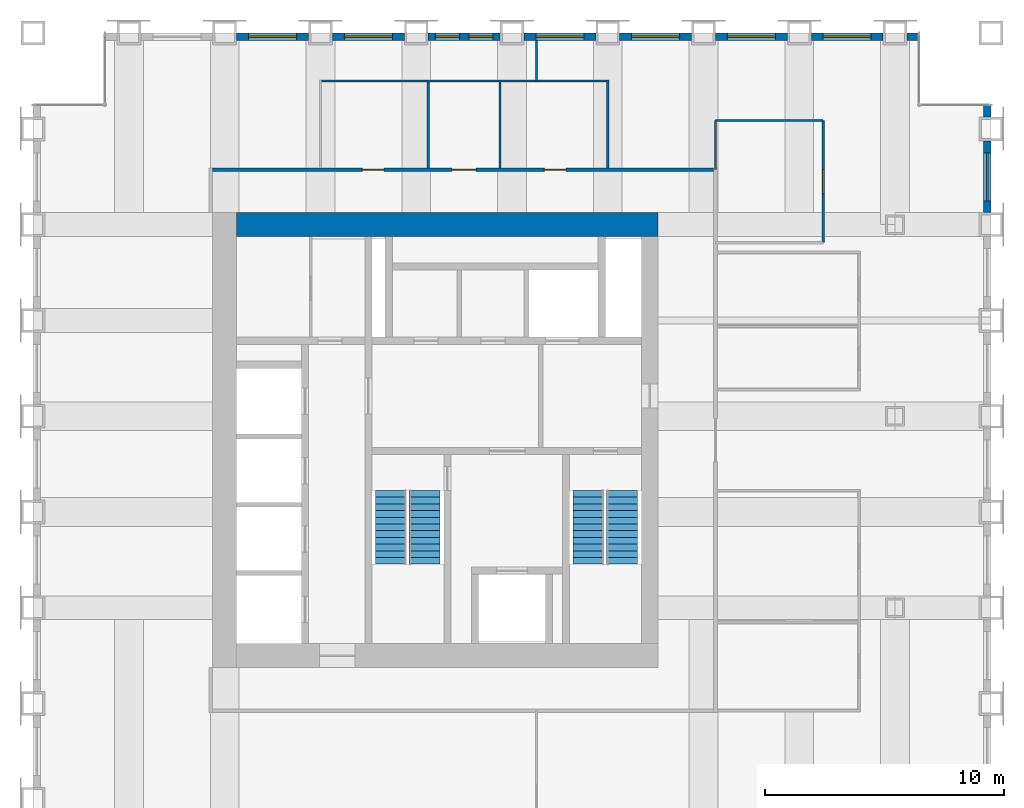
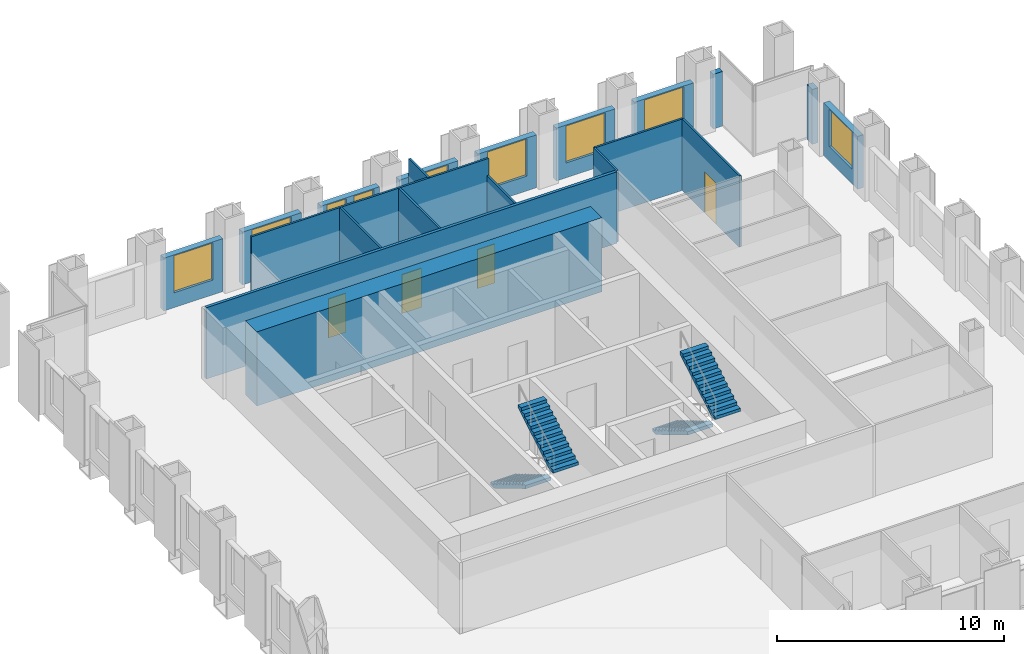
# One storey, part 10 of 11: 20 walls, 9 windows, 4 doors, 4 stair flights, 13 openings, 2 elements without a shape of their own.
"""IFC4 building model written with IfcOpenShell, lengths in metres."""

from ifc_helpers import new_model, si_unit, direction, frame, frame_2d, origin, place, context, subcontext, project, spatial, polyline, rectangle, outline, extrude, material, layer, layer_set, type_object, element, fill, aggregate, save


model = new_model("IFC4")

# Units and contexts
model_context = context("Model", 3, precision=1e-05, world=origin(), true_north=direction((0.0, 1.0)))
body_context = subcontext(model_context, "Body", "Model", "MODEL_VIEW")
ifc_project = project(units=[si_unit("LENGTHUNIT", "METRE"), si_unit("AREAUNIT", "SQUARE_METRE"), si_unit("VOLUMEUNIT", "CUBIC_METRE"), si_unit("PLANEANGLEUNIT", "RADIAN"), si_unit("MASSUNIT", "GRAM", prefix="KILO")], contexts=[model_context])

# Site, building, storey
site_placement = place(None, origin())
site = spatial("IfcSite", under=ifc_project, at=site_placement, CompositionType="ELEMENT")
building_placement = place(site_placement, origin())
building = spatial("IfcBuilding", under=site, at=building_placement, Name="Rimbunsela Tower", CompositionType="ELEMENT")
storey_placement = place(building_placement, frame((0.0, 0.0, 242.199951171875)))
storey = spatial("IfcBuildingStorey", under=building, at=storey_placement, Name="L58", CompositionType="ELEMENT", Elevation=242.199951171875)

# Walls
ifc_material_1 = material(Name="Concrete fc' 80 MPa", Category="concrete")
ifc_layer_1 = layer(ifc_material_1, 1.0)
ifc_layer_set_1 = layer_set([ifc_layer_1], Name="Core wall 1000")
wall_type_1 = type_object("IfcWallType", Name="Core wall 1000", PredefinedType="SHEAR", material=ifc_layer_set_1)
wall_1_placement = place(storey_placement, frame((18.5, 36.0, -0.14990234375), z_axis=(0.0, 0.0, 1.0), x_axis=(1.0, 0.0, 0.0)))
element("IfcWall", 1, at=wall_1_placement, inside=storey, type_object=wall_type_1, Name="Core wall north", PredefinedType="SHEAR", context=body_context, shape_type="SweptSolid", body=[
    extrude(rectangle(XDim=17.60009765625, YDim=1.0, at=frame_2d((8.800048828125, 0.0))), origin(), (0.0, 0.0, 1.0), 4.0),
])
ifc_material_2 = material(Name="Gypsum board on steel studs", Category="steel")
ifc_layer_2 = layer(ifc_material_2, 0.10009765625)
ifc_layer_set_2 = layer_set([ifc_layer_2], Name="Office partition 100")
wall_type_2 = type_object("IfcWallType", Name="Office partition 100", PredefinedType="PARTITIONING", material=ifc_layer_set_2)
wall_2_placement = place(storey_placement, frame((31.02490234375, 43.699951171875, 0.0), z_axis=(0.0, 0.0, 1.0), x_axis=(0.0, -1.0, 0.0)))
element("IfcWall", 2, at=wall_2_placement, inside=storey, type_object=wall_type_2, Name="Office partition", PredefinedType="PARTITIONING", context=body_context, shape_type="SweptSolid", body=[
    extrude(rectangle(XDim=1.699951171875, YDim=0.10009765625, at=frame_2d((0.85009765625, 0.0))), origin(), (0.0, 0.0, 1.0), 3.85009765625),
])

# Wall, opening, door
wall_3_placement = place(storey_placement, frame((43.0, 35.25, 0.0), z_axis=(0.0, 0.0, 1.0), x_axis=(0.0, 1.0, 0.0)))
wall_3 = element("IfcWall", 3, at=wall_3_placement, inside=storey, type_object=wall_type_2, Name="Office partition", PredefinedType="PARTITIONING", context=body_context, shape_type="SweptSolid", body=[
    extrude(rectangle(XDim=5.10009765625, YDim=0.10009765625, at=frame_2d((2.550048828125, 0.0))), origin(), (0.0, 0.0, 1.0), 3.85009765625),
])
opening_1_placement = place(wall_3_placement, frame((2.050048828125, 0.0, 0.0)))
opening_1 = element("IfcOpeningElement", 4, at=opening_1_placement, cuts=wall_3, Name="Opening D17", PredefinedType="OPENING", context=body_context, shape_type="SweptSolid", body=[
    extrude(rectangle(XDim=1.0, YDim=2.199951171875, at=frame_2d((0.5, 1.10009765625))), frame((0.0, 0.06005859375, 0.0), z_axis=(0.0, -1.0, 0.0), x_axis=(1.0, 0.0, 0.0)), (0.0, 0.0, 1.0), 0.1201171875),
])
ifc_material_3 = material(Name="Glazed aluminium door", Category="aluminium")
door_type_1 = type_object("IfcDoorType", Name="Meeting room door 1000 glazed", OperationType="SINGLE_SWING_RIGHT", PredefinedType="DOOR", material=ifc_material_3)
door_1_placement = place(opening_1_placement, origin())
door_1 = element("IfcDoor", 5, at=door_1_placement, inside=storey, type_object=door_type_1, Name="Reception door", OperationType="SINGLE_SWING_RIGHT", OverallHeight=2.199951171875, OverallWidth=1.0, PredefinedType="DOOR", context=body_context, shape_type="SweptSolid", body=[
    extrude(rectangle(XDim=1.0, YDim=2.199951171875, at=frame_2d((0.5, 1.10009765625))), frame((0.0, 0.02490234375, 0.0), z_axis=(0.0, -1.0, 0.0), x_axis=(1.0, 0.0, 0.0)), (0.0, 0.0, 1.0), 0.050048828125),
])
fill(opening_1, door_1)

# Walls
wall_4_placement = place(storey_placement, frame((43.0, 40.35009765625, 0.0), z_axis=(0.0, 0.0, 1.0), x_axis=(-1.0, 0.0, 0.0)))
element("IfcWall", 6, at=wall_4_placement, inside=storey, type_object=wall_type_2, Name="Office partition", PredefinedType="PARTITIONING", context=body_context, shape_type="SweptSolid", body=[
    extrude(rectangle(XDim=4.5, YDim=0.10009765625, at=frame_2d((2.25, 0.0))), origin(), (0.0, 0.0, 1.0), 3.85009765625),
])
wall_5_placement = place(storey_placement, frame((38.5, 40.35009765625, 0.0), z_axis=(0.0, 0.0, 1.0), x_axis=(0.0, -1.0, 0.0)))
element("IfcWall", 7, at=wall_5_placement, inside=storey, type_object=wall_type_2, Name="Office partition", PredefinedType="PARTITIONING", context=body_context, shape_type="SweptSolid", body=[
    extrude(rectangle(XDim=2.050048828125, YDim=0.10009765625, at=frame_2d((1.02490234375, 0.0))), origin(), (0.0, 0.0, 1.0), 3.85009765625),
])

# Wall, opening, window
ifc_material_4 = material(Name="Precast concrete fc' 35 MPa", Category="concrete")
ifc_layer_3 = layer(ifc_material_4, 0.300048828125)
ifc_layer_set_3 = layer_set([ifc_layer_3], Name="Precast concrete fc' 35 MPa")
wall_type_3 = type_object("IfcWallType", Name="Precast facade panel 300", PredefinedType="ELEMENTEDWALL", material=ifc_layer_set_3)
wall_6_placement = place(storey_placement, frame((49.85009765625, 36.5, 0.0), z_axis=(0.0, 0.0, 1.0), x_axis=(0.0, 1.0, 0.0)))
wall_6 = element("IfcWall", 8, at=wall_6_placement, inside=storey, type_object=wall_type_3, Name="Facade panel E L58", PredefinedType="ELEMENTEDWALL", context=body_context, shape_type="SweptSolid", body=[
    extrude(rectangle(XDim=3.0, YDim=0.300048828125, at=frame_2d((1.5, 0.0))), origin(), (0.0, 0.0, 1.0), 2.85009765625),
])
opening_2_placement = place(wall_6_placement, frame((0.5, 0.0, 0.800048828125)))
opening_2 = element("IfcOpeningElement", 9, at=opening_2_placement, cuts=wall_6, Name="Opening W1", PredefinedType="OPENING", context=body_context, shape_type="SweptSolid", body=[
    extrude(rectangle(XDim=2.0, YDim=2.0, at=frame_2d((1.0, 1.0))), frame((0.0, 0.159912109375, 0.0), z_axis=(0.0, -1.0, 0.0), x_axis=(1.0, 0.0, 0.0)), (0.0, 0.0, 1.0), 0.320068359375),
])
ifc_material_5 = material(Name="Clear glass in aluminium frame", Category="aluminium")
window_type_1 = type_object("IfcWindowType", Name="Window W1 2000x2000", PartitioningType="DOUBLE_PANEL_VERTICAL", PredefinedType="WINDOW", material=ifc_material_5)
window_1_placement = place(opening_2_placement, origin())
window_1 = element("IfcWindow", 10, at=window_1_placement, inside=storey, type_object=window_type_1, Name="Window L58", OverallHeight=2.0, OverallWidth=2.0, PartitioningType="SINGLE_PANEL", PredefinedType="WINDOW", context=body_context, shape_type="SweptSolid", body=[
    extrude(rectangle(XDim=2.0, YDim=2.0, at=frame_2d((1.0, 1.0))), frame((0.0, 0.030029296875, 0.0), z_axis=(0.0, -1.0, 0.0), x_axis=(1.0, 0.0, 0.0)), (0.0, 0.0, 1.0), 0.06005859375),
])
fill(opening_2, window_1)

# Wall
wall_7_placement = place(storey_placement, frame((49.85009765625, 40.5, 0.0), z_axis=(0.0, 0.0, 1.0), x_axis=(0.0, 1.0, 0.0)))
element("IfcWall", 11, at=wall_7_placement, inside=storey, type_object=wall_type_3, Name="Facade panel E L58", PredefinedType="ELEMENTEDWALL", context=body_context, shape_type="SweptSolid", body=[
    extrude(rectangle(XDim=0.469970703125, YDim=0.300048828125, at=frame_2d((0.23486328125, 0.0))), origin(), (0.0, 0.0, 1.0), 2.949951171875),
])

# Wall, opening, window
wall_8_placement = place(storey_placement, frame((21.5, 43.85009765625, 0.0), z_axis=(0.0, 0.0, 1.0), x_axis=(-1.0, 0.0, 0.0)))
wall_8 = element("IfcWall", 12, at=wall_8_placement, inside=storey, type_object=wall_type_3, Name="Facade panel N L58", PredefinedType="ELEMENTEDWALL", context=body_context, shape_type="SweptSolid", body=[
    extrude(rectangle(XDim=3.0, YDim=0.300048828125, at=frame_2d((1.5, 0.0))), origin(), (0.0, 0.0, 1.0), 2.85009765625),
])
opening_3_placement = place(wall_8_placement, frame((0.5, 0.0, 0.800048828125)))
opening_3 = element("IfcOpeningElement", 13, at=opening_3_placement, cuts=wall_8, Name="Opening W1", PredefinedType="OPENING", context=body_context, shape_type="SweptSolid", body=[
    extrude(rectangle(XDim=2.0, YDim=2.0, at=frame_2d((1.0, 1.0))), frame((0.0, 0.159912109375, 0.0), z_axis=(0.0, -1.0, 0.0), x_axis=(1.0, 0.0, 0.0)), (0.0, 0.0, 1.0), 0.320068359375),
])
window_2_placement = place(opening_3_placement, origin())
window_2 = element("IfcWindow", 14, at=window_2_placement, inside=storey, type_object=window_type_1, Name="Window L58", OverallHeight=2.0, OverallWidth=2.0, PartitioningType="SINGLE_PANEL", PredefinedType="WINDOW", context=body_context, shape_type="SweptSolid", body=[
    extrude(rectangle(XDim=2.0, YDim=2.0, at=frame_2d((1.0, 1.0))), frame((0.0, 0.030029296875, 0.0), z_axis=(0.0, -1.0, 0.0), x_axis=(1.0, 0.0, 0.0)), (0.0, 0.0, 1.0), 0.06005859375),
])
fill(opening_3, window_2)

wall_9_placement = place(storey_placement, frame((25.5, 43.85009765625, 0.0), z_axis=(0.0, 0.0, 1.0), x_axis=(-1.0, 0.0, 0.0)))
wall_9 = element("IfcWall", 15, at=wall_9_placement, inside=storey, type_object=wall_type_3, Name="Facade panel N L58", PredefinedType="ELEMENTEDWALL", context=body_context, shape_type="SweptSolid", body=[
    extrude(rectangle(XDim=3.0, YDim=0.300048828125, at=frame_2d((1.5, 0.0))), origin(), (0.0, 0.0, 1.0), 2.85009765625),
])
opening_4_placement = place(wall_9_placement, frame((0.5, 0.0, 0.800048828125)))
opening_4 = element("IfcOpeningElement", 16, at=opening_4_placement, cuts=wall_9, Name="Opening W1", PredefinedType="OPENING", context=body_context, shape_type="SweptSolid", body=[
    extrude(rectangle(XDim=2.0, YDim=2.0, at=frame_2d((1.0, 1.0))), frame((0.0, 0.159912109375, 0.0), z_axis=(0.0, -1.0, 0.0), x_axis=(1.0, 0.0, 0.0)), (0.0, 0.0, 1.0), 0.320068359375),
])
window_3_placement = place(opening_4_placement, origin())
window_3 = element("IfcWindow", 17, at=window_3_placement, inside=storey, type_object=window_type_1, Name="Window L58", OverallHeight=2.0, OverallWidth=2.0, PartitioningType="SINGLE_PANEL", PredefinedType="WINDOW", context=body_context, shape_type="SweptSolid", body=[
    extrude(rectangle(XDim=2.0, YDim=2.0, at=frame_2d((1.0, 1.0))), frame((0.0, 0.030029296875, 0.0), z_axis=(0.0, -1.0, 0.0), x_axis=(1.0, 0.0, 0.0)), (0.0, 0.0, 1.0), 0.06005859375),
])
fill(opening_4, window_3)

# Wall, openings, windows
wall_10_placement = place(storey_placement, frame((29.5, 43.85009765625, 0.0), z_axis=(0.0, 0.0, 1.0), x_axis=(-1.0, 0.0, 0.0)))
wall_10 = element("IfcWall", 18, at=wall_10_placement, inside=storey, type_object=wall_type_3, Name="Facade panel N L58", PredefinedType="ELEMENTEDWALL", context=body_context, shape_type="SweptSolid", body=[
    extrude(rectangle(XDim=3.0, YDim=0.300048828125, at=frame_2d((1.5, 0.0))), origin(), (0.0, 0.0, 1.0), 2.85009765625),
])
opening_5_placement = place(wall_10_placement, frame((1.699951171875, 0.0, 0.800048828125)))
opening_5 = element("IfcOpeningElement", 19, at=opening_5_placement, cuts=wall_10, Name="Opening W5", PredefinedType="OPENING", context=body_context, shape_type="SweptSolid", body=[
    extrude(rectangle(XDim=1.0, YDim=2.0, at=frame_2d((0.5, 1.0))), frame((0.0, 0.159912109375, 0.0), z_axis=(0.0, -1.0, 0.0), x_axis=(1.0, 0.0, 0.0)), (0.0, 0.0, 1.0), 0.320068359375),
])
opening_6_placement = place(wall_10_placement, frame((0.300048828125, 0.0, 0.800048828125)))
opening_6 = element("IfcOpeningElement", 20, at=opening_6_placement, cuts=wall_10, Name="Opening W5", PredefinedType="OPENING", context=body_context, shape_type="SweptSolid", body=[
    extrude(rectangle(XDim=1.0, YDim=2.0, at=frame_2d((0.5, 1.0))), frame((0.0, 0.159912109375, 0.0), z_axis=(0.0, -1.0, 0.0), x_axis=(1.0, 0.0, 0.0)), (0.0, 0.0, 1.0), 0.320068359375),
])
ifc_material_6 = material(Name="Clear glass in aluminium frame", Category="aluminium")
window_type_2 = type_object("IfcWindowType", Name="Window W5 1000x2000", PartitioningType="SINGLE_PANEL", PredefinedType="WINDOW", material=ifc_material_6)
window_4_placement = place(opening_5_placement, origin())
window_4 = element("IfcWindow", 21, at=window_4_placement, inside=storey, type_object=window_type_2, Name="Window L58", OverallHeight=2.0, OverallWidth=1.0, PartitioningType="SINGLE_PANEL", PredefinedType="WINDOW", context=body_context, shape_type="SweptSolid", body=[
    extrude(rectangle(XDim=1.0, YDim=2.0, at=frame_2d((0.5, 1.0))), frame((0.0, 0.030029296875, 0.0), z_axis=(0.0, -1.0, 0.0), x_axis=(1.0, 0.0, 0.0)), (0.0, 0.0, 1.0), 0.06005859375),
])
fill(opening_5, window_4)
window_5_placement = place(opening_6_placement, origin())
window_5 = element("IfcWindow", 22, at=window_5_placement, inside=storey, type_object=window_type_2, Name="Window L58", OverallHeight=2.0, OverallWidth=1.0, PartitioningType="SINGLE_PANEL", PredefinedType="WINDOW", context=body_context, shape_type="SweptSolid", body=[
    extrude(rectangle(XDim=1.0, YDim=2.0, at=frame_2d((0.5, 1.0))), frame((0.0, 0.030029296875, 0.0), z_axis=(0.0, -1.0, 0.0), x_axis=(1.0, 0.0, 0.0)), (0.0, 0.0, 1.0), 0.06005859375),
])
fill(opening_6, window_5)

# Wall, opening, window
wall_11_placement = place(storey_placement, frame((33.5, 43.85009765625, 0.0), z_axis=(0.0, 0.0, 1.0), x_axis=(-1.0, 0.0, 0.0)))
wall_11 = element("IfcWall", 23, at=wall_11_placement, inside=storey, type_object=wall_type_3, Name="Facade panel N L58", PredefinedType="ELEMENTEDWALL", context=body_context, shape_type="SweptSolid", body=[
    extrude(rectangle(XDim=3.0, YDim=0.300048828125, at=frame_2d((1.5, 0.0))), origin(), (0.0, 0.0, 1.0), 2.85009765625),
])
opening_7_placement = place(wall_11_placement, frame((0.5, 0.0, 0.800048828125)))
opening_7 = element("IfcOpeningElement", 24, at=opening_7_placement, cuts=wall_11, Name="Opening W1", PredefinedType="OPENING", context=body_context, shape_type="SweptSolid", body=[
    extrude(rectangle(XDim=2.0, YDim=2.0, at=frame_2d((1.0, 1.0))), frame((0.0, 0.159912109375, 0.0), z_axis=(0.0, -1.0, 0.0), x_axis=(1.0, 0.0, 0.0)), (0.0, 0.0, 1.0), 0.320068359375),
])
window_6_placement = place(opening_7_placement, origin())
window_6 = element("IfcWindow", 25, at=window_6_placement, inside=storey, type_object=window_type_1, Name="Window L58", OverallHeight=2.0, OverallWidth=2.0, PartitioningType="SINGLE_PANEL", PredefinedType="WINDOW", context=body_context, shape_type="SweptSolid", body=[
    extrude(rectangle(XDim=2.0, YDim=2.0, at=frame_2d((1.0, 1.0))), frame((0.0, 0.030029296875, 0.0), z_axis=(0.0, -1.0, 0.0), x_axis=(1.0, 0.0, 0.0)), (0.0, 0.0, 1.0), 0.06005859375),
])
fill(opening_7, window_6)

wall_12_placement = place(storey_placement, frame((37.5, 43.85009765625, 0.0), z_axis=(0.0, 0.0, 1.0), x_axis=(-1.0, 0.0, 0.0)))
wall_12 = element("IfcWall", 26, at=wall_12_placement, inside=storey, type_object=wall_type_3, Name="Facade panel N L58", PredefinedType="ELEMENTEDWALL", context=body_context, shape_type="SweptSolid", body=[
    extrude(rectangle(XDim=3.0, YDim=0.300048828125, at=frame_2d((1.5, 0.0))), origin(), (0.0, 0.0, 1.0), 2.85009765625),
])
opening_8_placement = place(wall_12_placement, frame((0.5, 0.0, 0.800048828125)))
opening_8 = element("IfcOpeningElement", 27, at=opening_8_placement, cuts=wall_12, Name="Opening W1", PredefinedType="OPENING", context=body_context, shape_type="SweptSolid", body=[
    extrude(rectangle(XDim=2.0, YDim=2.0, at=frame_2d((1.0, 1.0))), frame((0.0, 0.159912109375, 0.0), z_axis=(0.0, -1.0, 0.0), x_axis=(1.0, 0.0, 0.0)), (0.0, 0.0, 1.0), 0.320068359375),
])
window_7_placement = place(opening_8_placement, origin())
window_7 = element("IfcWindow", 28, at=window_7_placement, inside=storey, type_object=window_type_1, Name="Window L58", OverallHeight=2.0, OverallWidth=2.0, PartitioningType="SINGLE_PANEL", PredefinedType="WINDOW", context=body_context, shape_type="SweptSolid", body=[
    extrude(rectangle(XDim=2.0, YDim=2.0, at=frame_2d((1.0, 1.0))), frame((0.0, 0.030029296875, 0.0), z_axis=(0.0, -1.0, 0.0), x_axis=(1.0, 0.0, 0.0)), (0.0, 0.0, 1.0), 0.06005859375),
])
fill(opening_8, window_7)

wall_13_placement = place(storey_placement, frame((41.5, 43.85009765625, 0.0), z_axis=(0.0, 0.0, 1.0), x_axis=(-1.0, 0.0, 0.0)))
wall_13 = element("IfcWall", 29, at=wall_13_placement, inside=storey, type_object=wall_type_3, Name="Facade panel N L58", PredefinedType="ELEMENTEDWALL", context=body_context, shape_type="SweptSolid", body=[
    extrude(rectangle(XDim=3.0, YDim=0.300048828125, at=frame_2d((1.5, 0.0))), origin(), (0.0, 0.0, 1.0), 2.85009765625),
])
opening_9_placement = place(wall_13_placement, frame((0.5, 0.0, 0.800048828125)))
opening_9 = element("IfcOpeningElement", 30, at=opening_9_placement, cuts=wall_13, Name="Opening W1", PredefinedType="OPENING", context=body_context, shape_type="SweptSolid", body=[
    extrude(rectangle(XDim=2.0, YDim=2.0, at=frame_2d((1.0, 1.0))), frame((0.0, 0.159912109375, 0.0), z_axis=(0.0, -1.0, 0.0), x_axis=(1.0, 0.0, 0.0)), (0.0, 0.0, 1.0), 0.320068359375),
])
window_8_placement = place(opening_9_placement, origin())
window_8 = element("IfcWindow", 31, at=window_8_placement, inside=storey, type_object=window_type_1, Name="Window L58", OverallHeight=2.0, OverallWidth=2.0, PartitioningType="SINGLE_PANEL", PredefinedType="WINDOW", context=body_context, shape_type="SweptSolid", body=[
    extrude(rectangle(XDim=2.0, YDim=2.0, at=frame_2d((1.0, 1.0))), frame((0.0, 0.030029296875, 0.0), z_axis=(0.0, -1.0, 0.0), x_axis=(1.0, 0.0, 0.0)), (0.0, 0.0, 1.0), 0.06005859375),
])
fill(opening_9, window_8)

wall_14_placement = place(storey_placement, frame((45.5, 43.85009765625, 0.0), z_axis=(0.0, 0.0, 1.0), x_axis=(-1.0, 0.0, 0.0)))
wall_14 = element("IfcWall", 32, at=wall_14_placement, inside=storey, type_object=wall_type_3, Name="Facade panel N L58", PredefinedType="ELEMENTEDWALL", context=body_context, shape_type="SweptSolid", body=[
    extrude(rectangle(XDim=3.0, YDim=0.300048828125, at=frame_2d((1.5, 0.0))), origin(), (0.0, 0.0, 1.0), 2.85009765625),
])
opening_10_placement = place(wall_14_placement, frame((0.5, 0.0, 0.800048828125)))
opening_10 = element("IfcOpeningElement", 33, at=opening_10_placement, cuts=wall_14, Name="Opening W1", PredefinedType="OPENING", context=body_context, shape_type="SweptSolid", body=[
    extrude(rectangle(XDim=2.0, YDim=2.0, at=frame_2d((1.0, 1.0))), frame((0.0, 0.159912109375, 0.0), z_axis=(0.0, -1.0, 0.0), x_axis=(1.0, 0.0, 0.0)), (0.0, 0.0, 1.0), 0.320068359375),
])
window_9_placement = place(opening_10_placement, origin())
window_9 = element("IfcWindow", 34, at=window_9_placement, inside=storey, type_object=window_type_1, Name="Window L58", OverallHeight=2.0, OverallWidth=2.0, PartitioningType="SINGLE_PANEL", PredefinedType="WINDOW", context=body_context, shape_type="SweptSolid", body=[
    extrude(rectangle(XDim=2.0, YDim=2.0, at=frame_2d((1.0, 1.0))), frame((0.0, 0.030029296875, 0.0), z_axis=(0.0, -1.0, 0.0), x_axis=(1.0, 0.0, 0.0)), (0.0, 0.0, 1.0), 0.06005859375),
])
fill(opening_10, window_9)

# Wall
wall_15_placement = place(storey_placement, frame((46.969970703125, 43.85009765625, 0.0), z_axis=(0.0, 0.0, 1.0), x_axis=(-1.0, 0.0, 0.0)))
element("IfcWall", 35, at=wall_15_placement, inside=storey, type_object=wall_type_3, Name="Facade panel N L58", PredefinedType="ELEMENTEDWALL", context=body_context, shape_type="SweptSolid", body=[
    extrude(rectangle(XDim=0.469970703125, YDim=0.300048828125, at=frame_2d((0.23486328125, 0.0))), origin(), (0.0, 0.0, 1.0), 2.949951171875),
])

# Wall, openings, doors
ifc_material_7 = material(Name="Fire-rated gypsum board on steel studs, EI 60", Category="steel")
ifc_layer_4 = layer(ifc_material_7, 0.14990234375)
ifc_layer_set_4 = layer_set([ifc_layer_4], Name="Rated corridor wall 150")
wall_type_4 = type_object("IfcWallType", Name="Rated corridor wall 150", PredefinedType="PARTITIONING", material=ifc_layer_set_4)
wall_16_placement = place(storey_placement, frame((17.5, 38.300048828125, 0.0), z_axis=(0.0, 0.0, 1.0), x_axis=(1.0, 0.0, 0.0)))
wall_16 = element("IfcWall", 36, at=wall_16_placement, inside=storey, type_object=wall_type_4, Name="Corridor wall north", PredefinedType="PARTITIONING", context=body_context, shape_type="SweptSolid", body=[
    extrude(rectangle(XDim=20.925048828125, YDim=0.14990234375, at=frame_2d((10.46240234375, 0.0))), origin(), (0.0, 0.0, 1.0), 3.85009765625),
])
opening_11_placement = place(wall_16_placement, frame((6.25, 0.0, 0.0)))
opening_11 = element("IfcOpeningElement", 37, at=opening_11_placement, cuts=wall_16, Name="Opening D04", PredefinedType="OPENING", context=body_context, shape_type="SweptSolid", body=[
    extrude(rectangle(XDim=0.89990234375, YDim=2.10009765625, at=frame_2d((0.449951171875, 1.050048828125))), frame((0.0, 0.0849609375, 0.0), z_axis=(0.0, -1.0, 0.0), x_axis=(1.0, 0.0, 0.0)), (0.0, 0.0, 1.0), 0.169921875),
])
opening_12_placement = place(wall_16_placement, frame((10.0, 0.0, 0.0)))
opening_12 = element("IfcOpeningElement", 38, at=opening_12_placement, cuts=wall_16, Name="Opening D05", PredefinedType="OPENING", context=body_context, shape_type="SweptSolid", body=[
    extrude(rectangle(XDim=1.0, YDim=2.10009765625, at=frame_2d((0.5, 1.050048828125))), frame((0.0, 0.0849609375, 0.0), z_axis=(0.0, -1.0, 0.0), x_axis=(1.0, 0.0, 0.0)), (0.0, 0.0, 1.0), 0.169921875),
])
opening_13_placement = place(wall_16_placement, frame((13.85009765625, 0.0, 0.0)))
opening_13 = element("IfcOpeningElement", 39, at=opening_13_placement, cuts=wall_16, Name="Opening D04", PredefinedType="OPENING", context=body_context, shape_type="SweptSolid", body=[
    extrude(rectangle(XDim=0.89990234375, YDim=2.10009765625, at=frame_2d((0.449951171875, 1.050048828125))), frame((0.0, 0.0849609375, 0.0), z_axis=(0.0, -1.0, 0.0), x_axis=(1.0, 0.0, 0.0)), (0.0, 0.0, 1.0), 0.169921875),
])
ifc_material_8 = material(Name="Timber door", Category="wood")
door_type_2 = type_object("IfcDoorType", Name="Accessible WC door 1000", OperationType="SLIDING_TO_LEFT", PredefinedType="DOOR", material=ifc_material_8)
door_2_placement = place(opening_12_placement, origin())
door_2 = element("IfcDoor", 40, at=door_2_placement, inside=storey, type_object=door_type_2, Name="Accessible WC door", OperationType="SLIDING_TO_LEFT", OverallHeight=2.10009765625, OverallWidth=1.0, PredefinedType="DOOR", context=body_context, shape_type="SweptSolid", body=[
    extrude(rectangle(XDim=1.0, YDim=2.10009765625, at=frame_2d((0.5, 1.050048828125))), frame((0.0, 0.02490234375, 0.0), z_axis=(0.0, -1.0, 0.0), x_axis=(1.0, 0.0, 0.0)), (0.0, 0.0, 1.0), 0.050048828125),
])
fill(opening_12, door_2)
ifc_material_9 = material(Name="Timber door", Category="wood")
door_type_3 = type_object("IfcDoorType", Name="Toilet door 900", OperationType="SINGLE_SWING_LEFT", PredefinedType="DOOR", material=ifc_material_9)
door_3_placement = place(opening_11_placement, origin())
door_3 = element("IfcDoor", 41, at=door_3_placement, inside=storey, type_object=door_type_3, Name="Female WC door", OperationType="SINGLE_SWING_LEFT", OverallHeight=2.10009765625, OverallWidth=0.89990234375, PredefinedType="DOOR", context=body_context, shape_type="SweptSolid", body=[
    extrude(rectangle(XDim=0.89990234375, YDim=2.10009765625, at=frame_2d((0.449951171875, 1.050048828125))), frame((0.0, 0.02490234375, 0.0), z_axis=(0.0, -1.0, 0.0), x_axis=(1.0, 0.0, 0.0)), (0.0, 0.0, 1.0), 0.050048828125),
])
fill(opening_11, door_3)
door_4_placement = place(opening_13_placement, origin())
door_4 = element("IfcDoor", 42, at=door_4_placement, inside=storey, type_object=door_type_3, Name="Male WC door", OperationType="SINGLE_SWING_LEFT", OverallHeight=2.10009765625, OverallWidth=0.89990234375, PredefinedType="DOOR", context=body_context, shape_type="SweptSolid", body=[
    extrude(rectangle(XDim=0.89990234375, YDim=2.10009765625, at=frame_2d((0.449951171875, 1.050048828125))), frame((0.0, 0.02490234375, 0.0), z_axis=(0.0, -1.0, 0.0), x_axis=(1.0, 0.0, 0.0)), (0.0, 0.0, 1.0), 0.050048828125),
])
fill(opening_13, door_4)

# Walls
ifc_material_10 = material(Name="Concrete blockwork", Category="masonry")
ifc_layer_5 = layer(ifc_material_10, 0.10009765625)
ifc_layer_set_5 = layer_set([ifc_layer_5], Name="Toilet partition 100")
wall_type_5 = type_object("IfcWallType", Name="Toilet partition 100", PredefinedType="PARTITIONING", material=ifc_layer_set_5)
wall_17_placement = place(storey_placement, frame((34.0, 38.375, 0.0), z_axis=(0.0, 0.0, 1.0), x_axis=(0.0, 1.0, 0.0)))
element("IfcWall", 43, at=wall_17_placement, inside=storey, type_object=wall_type_5, Name="Toilet block wall east", PredefinedType="PARTITIONING", context=body_context, shape_type="SweptSolid", body=[
    extrude(rectangle(XDim=3.675048828125, YDim=0.10009765625, at=frame_2d((1.83740234375, 0.0))), origin(), (0.0, 0.0, 1.0), 2.949951171875),
])
wall_18_placement = place(storey_placement, frame((21.949951171875, 42.0, 0.0), z_axis=(0.0, 0.0, 1.0), x_axis=(1.0, 0.0, 0.0)))
element("IfcWall", 44, at=wall_18_placement, inside=storey, type_object=wall_type_5, Name="Toilet block wall north", PredefinedType="PARTITIONING", context=body_context, shape_type="SweptSolid", body=[
    extrude(rectangle(XDim=12.10009765625, YDim=0.10009765625, at=frame_2d((6.050048828125, 0.0))), origin(), (0.0, 0.0, 1.0), 3.85009765625),
])
for number, where, z_axis, x_axis, name in (
    (45, (26.5, 38.375, 0.0), (0.0, 0.0, 1.0), (0.0, 1.0, 0.0), "Toilet partition"),
    (46, (29.5, 38.375, 0.0), (0.0, 0.0, 1.0), (0.0, 1.0, 0.0), "Toilet partition"),
):
    element("IfcWall", number, at=place(storey_placement, frame(where, z_axis=z_axis, x_axis=x_axis)), inside=storey, type_object=wall_type_5, Name=name, PredefinedType="PARTITIONING", context=body_context, shape_type="SweptSolid", body=[
        extrude(rectangle(XDim=3.574951171875, YDim=0.10009765625, at=frame_2d((1.78759765625, 0.0))), origin(), (0.0, 0.0, 1.0), 3.85009765625),
    ])

# Stair, stair flights
ifc_material_11 = material(Name="Concrete fc' 35 MPa", Category="concrete")
stair_type = type_object("IfcStairType", Name="Exit stair 24 risers", PredefinedType="HALF_TURN_STAIR", material=ifc_material_11)
stair_1_placement = place(storey_placement, origin())
stair_1 = element("IfcStair", 47, at=stair_1_placement, inside=storey, type_object=stair_type, Name="Exit stair A L58", PredefinedType="HALF_TURN_STAIR")
ifc_material_12 = material(Name="Concrete fc' 35 MPa", Category="concrete")
stair_flight_type = type_object("IfcStairFlightType", Name="Stair flight 12 risers 167", PredefinedType="STRAIGHT", material=ifc_material_12)
stair_flight_1_placement = place(storey_placement, frame((24.949951171875, 24.89990234375, 0.0), z_axis=(0.0, 0.0, 1.0), x_axis=(0.0, -1.0, 0.0)))
stair_flight_1 = element("IfcStairFlight", 48, at=stair_flight_1_placement, type_object=stair_flight_type, Name="ST-A flight 1", NumberOfRisers=12, NumberOfTreads=11, PredefinedType="STRAIGHT", RiserHeight=0.166666667, TreadLength=0.28, context=body_context, shape_type="SweptSolid", body=[
    extrude(outline(polyline([(0.0, 0.0), (0.0, 0.166748046875), (0.280029296875, 0.166748046875), (0.280029296875, 0.333251953125), (0.56005859375, 0.333251953125), (0.56005859375, 0.5), (0.840087890625, 0.5), (0.840087890625, 0.666748046875), (1.1201171875, 0.666748046875), (1.1201171875, 0.833251953125), (1.39990234375, 0.833251953125), (1.39990234375, 1.0), (1.679931640625, 1.0), (1.679931640625, 1.166748046875), (1.9599609375, 1.166748046875), (1.9599609375, 1.333251953125), (2.239990234375, 1.333251953125), (2.239990234375, 1.5), (2.52001953125, 1.5), (2.52001953125, 1.666748046875), (2.800048828125, 1.666748046875), (2.800048828125, 1.833251953125), (3.080078125, 1.833251953125), (3.080078125, 2.0), (3.080078125, 1.658935546875), (0.29296875, 0.0), (0.0, 0.0)])), frame((0.0, 0.64990234375, 0.0), z_axis=(0.0, -1.0, 0.0), x_axis=(1.0, 0.0, 0.0)), (0.0, 0.0, 1.0), 1.300048828125),
])
stair_flight_2_placement = place(storey_placement, frame((26.35009765625, 21.820068359375, 2.0), z_axis=(0.0, 0.0, 1.0), x_axis=(0.0, 1.0, 0.0)))
stair_flight_2 = element("IfcStairFlight", 49, at=stair_flight_2_placement, type_object=stair_flight_type, Name="ST-A flight 2", NumberOfRisers=12, NumberOfTreads=11, PredefinedType="STRAIGHT", RiserHeight=0.166666667, TreadLength=0.28, context=body_context, shape_type="SweptSolid", body=[
    extrude(outline(polyline([(0.0, 0.0), (0.0, 0.166748046875), (0.280029296875, 0.166748046875), (0.280029296875, 0.333251953125), (0.56005859375, 0.333251953125), (0.56005859375, 0.5), (0.840087890625, 0.5), (0.840087890625, 0.666748046875), (1.1201171875, 0.666748046875), (1.1201171875, 0.833251953125), (1.39990234375, 0.833251953125), (1.39990234375, 1.0), (1.679931640625, 1.0), (1.679931640625, 1.166748046875), (1.9599609375, 1.166748046875), (1.9599609375, 1.333251953125), (2.239990234375, 1.333251953125), (2.239990234375, 1.5), (2.52001953125, 1.5), (2.52001953125, 1.666748046875), (2.800048828125, 1.666748046875), (2.800048828125, 1.833251953125), (3.080078125, 1.833251953125), (3.080078125, 2.0), (3.080078125, 1.658935546875), (0.29296875, 0.0), (0.0, 0.0)])), frame((0.0, 0.64990234375, 0.0), z_axis=(0.0, -1.0, 0.0), x_axis=(1.0, 0.0, 0.0)), (0.0, 0.0, 1.0), 1.300048828125),
])
aggregate(stair_1, [stair_flight_1, stair_flight_2])

stair_2_placement = place(storey_placement, origin())
stair_2 = element("IfcStair", 50, at=stair_2_placement, inside=storey, type_object=stair_type, Name="Exit stair B L58", PredefinedType="HALF_TURN_STAIR")
stair_flight_3_placement = place(storey_placement, frame((33.199951171875, 24.89990234375, 0.0), z_axis=(0.0, 0.0, 1.0), x_axis=(0.0, -1.0, 0.0)))
stair_flight_3 = element("IfcStairFlight", 51, at=stair_flight_3_placement, type_object=stair_flight_type, Name="ST-B flight 1", NumberOfRisers=12, NumberOfTreads=11, PredefinedType="STRAIGHT", RiserHeight=0.166666667, TreadLength=0.28, context=body_context, shape_type="SweptSolid", body=[
    extrude(outline(polyline([(0.0, 0.0), (0.0, 0.166748046875), (0.280029296875, 0.166748046875), (0.280029296875, 0.333251953125), (0.56005859375, 0.333251953125), (0.56005859375, 0.5), (0.840087890625, 0.5), (0.840087890625, 0.666748046875), (1.1201171875, 0.666748046875), (1.1201171875, 0.833251953125), (1.39990234375, 0.833251953125), (1.39990234375, 1.0), (1.679931640625, 1.0), (1.679931640625, 1.166748046875), (1.9599609375, 1.166748046875), (1.9599609375, 1.333251953125), (2.239990234375, 1.333251953125), (2.239990234375, 1.5), (2.52001953125, 1.5), (2.52001953125, 1.666748046875), (2.800048828125, 1.666748046875), (2.800048828125, 1.833251953125), (3.080078125, 1.833251953125), (3.080078125, 2.0), (3.080078125, 1.658935546875), (0.29296875, 0.0), (0.0, 0.0)])), frame((0.0, 0.64990234375, 0.0), z_axis=(0.0, -1.0, 0.0), x_axis=(1.0, 0.0, 0.0)), (0.0, 0.0, 1.0), 1.300048828125),
])
stair_flight_4_placement = place(storey_placement, frame((34.60009765625, 21.820068359375, 2.0), z_axis=(0.0, 0.0, 1.0), x_axis=(0.0, 1.0, 0.0)))
stair_flight_4 = element("IfcStairFlight", 52, at=stair_flight_4_placement, type_object=stair_flight_type, Name="ST-B flight 2", NumberOfRisers=12, NumberOfTreads=11, PredefinedType="STRAIGHT", RiserHeight=0.166666667, TreadLength=0.28, context=body_context, shape_type="SweptSolid", body=[
    extrude(outline(polyline([(0.0, 0.0), (0.0, 0.166748046875), (0.280029296875, 0.166748046875), (0.280029296875, 0.333251953125), (0.56005859375, 0.333251953125), (0.56005859375, 0.5), (0.840087890625, 0.5), (0.840087890625, 0.666748046875), (1.1201171875, 0.666748046875), (1.1201171875, 0.833251953125), (1.39990234375, 0.833251953125), (1.39990234375, 1.0), (1.679931640625, 1.0), (1.679931640625, 1.166748046875), (1.9599609375, 1.166748046875), (1.9599609375, 1.333251953125), (2.239990234375, 1.333251953125), (2.239990234375, 1.5), (2.52001953125, 1.5), (2.52001953125, 1.666748046875), (2.800048828125, 1.666748046875), (2.800048828125, 1.833251953125), (3.080078125, 1.833251953125), (3.080078125, 2.0), (3.080078125, 1.658935546875), (0.29296875, 0.0), (0.0, 0.0)])), frame((0.0, 0.64990234375, 0.0), z_axis=(0.0, -1.0, 0.0), x_axis=(1.0, 0.0, 0.0)), (0.0, 0.0, 1.0), 1.300048828125),
])
aggregate(stair_2, [stair_flight_3, stair_flight_4])

save(model, "model.ifc")
